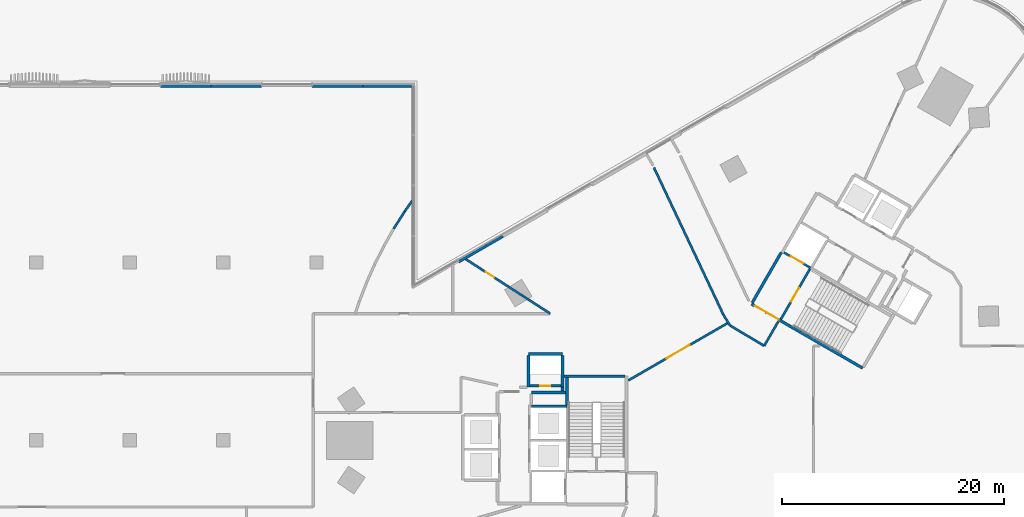
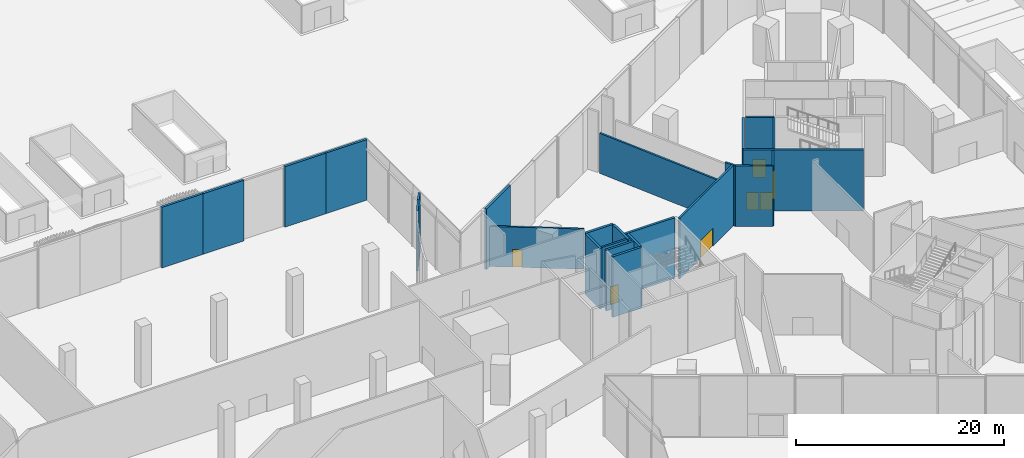
# One storey, part 19 of 41: 26 walls, 7 doors, 7 openings.
"""IFC4 building model written with IfcOpenShell, lengths in metres."""

from ifc_helpers import new_model, si_unit, direction, frame, frame_2d, origin, place, context, subcontext, project, spatial, rectangle, extrude, material, layer, layer_set, type_object, element, fill, save


model = new_model("IFC4")

# Units and contexts
model_context = context("Model", 3, precision=1e-05, world=origin(), true_north=direction((0.0, 1.0)))
body_context = subcontext(model_context, "Body", "Model", "MODEL_VIEW")
ifc_project = project(units=[si_unit("LENGTHUNIT", "METRE"), si_unit("AREAUNIT", "SQUARE_METRE"), si_unit("VOLUMEUNIT", "CUBIC_METRE"), si_unit("PLANEANGLEUNIT", "RADIAN"), si_unit("MASSUNIT", "GRAM", prefix="KILO")], contexts=[model_context])

# Site, building, storey
site_placement = place(None, origin())
site = spatial("IfcSite", under=ifc_project, at=site_placement, CompositionType="ELEMENT")
building_placement = place(site_placement, origin())
building = spatial("IfcBuilding", under=site, at=building_placement, Name="Tamra Quay Hotel Tower", CompositionType="ELEMENT")
storey_placement = place(building_placement, origin())
storey = spatial("IfcBuildingStorey", under=building, at=storey_placement, Name="L00", CompositionType="ELEMENT", Elevation=0.0)

# Wall, opening, door
ifc_material_1 = material(Name="Concrete M70", Category="concrete")
ifc_layer_1 = layer(ifc_material_1, 0.199951171875)
ifc_layer_set_1 = layer_set([ifc_layer_1], Name="Concrete M70 core wall 200")
wall_type_1 = type_object("IfcWallType", Name="Concrete M70 core wall 200", PredefinedType="SHEAR", material=ifc_layer_set_1)
wall_1_placement = place(storey_placement, frame((-19.51123046875, 4.91015625, 0.0), z_axis=(0.0, 0.0, 1.0), x_axis=(1.0, 0.0, 0.0)))
wall_1 = element("IfcWall", 1, at=wall_1_placement, inside=storey, type_object=wall_type_1, Name="CW2", PredefinedType="SHEAR", context=body_context, shape_type="SweptSolid", body=[
    extrude(rectangle(XDim=2.7978515625, YDim=0.199951171875, at=frame_2d((1.39892578125, 0.0))), origin(), (0.0, 0.0, 1.0), 7.10009765625),
])
opening_1_placement = place(wall_1_placement, frame((0.948974609375, 0.0, 0.0)))
opening_1 = element("IfcOpeningElement", 2, at=opening_1_placement, cuts=wall_1, Name="Opening D1", PredefinedType="OPENING", context=body_context, shape_type="SweptSolid", body=[
    extrude(rectangle(XDim=0.89990234375, YDim=2.10009765625, at=frame_2d((0.449951171875, 1.050048828125))), frame((0.0, 0.10986328125, 0.0), z_axis=(0.0, -1.0, 0.0), x_axis=(1.0, 0.0, 0.0)), (0.0, 0.0, 1.0), 0.219970703125),
])
ifc_material_2 = material(Name="Core door D1 900x2100 RH")
door_type_1 = type_object("IfcDoorType", Name="Core door D1 900x2100 RH", OperationType="NOTDEFINED", PredefinedType="DOOR", material=ifc_material_2)
door_1_placement = place(opening_1_placement, origin())
door_1 = element("IfcDoor", 3, at=door_1_placement, inside=storey, type_object=door_type_1, Name="D1", OperationType="SINGLE_SWING_RIGHT", OverallHeight=2.10009765625, OverallWidth=0.89990234375, PredefinedType="DOOR", context=body_context, shape_type="SweptSolid", body=[
    extrude(rectangle(XDim=0.89990234375, YDim=2.10009765625, at=frame_2d((0.449951171875, 1.050048828125))), frame((0.0, 0.02490234375, 0.0), z_axis=(0.0, -1.0, 0.0), x_axis=(1.0, 0.0, 0.0)), (0.0, 0.0, 1.0), 0.050048828125),
])
fill(opening_1, door_1)

wall_2_placement = place(storey_placement, frame((3.056640625, 10.89453125, 0.0), z_axis=(0.0, 0.0, 1.0), x_axis=(0.499989418164, 0.866031513124, 0.0)))
wall_2 = element("IfcWall", 4, at=wall_2_placement, inside=storey, type_object=wall_type_1, Name="CW2", PredefinedType="SHEAR", context=body_context, shape_type="SweptSolid", body=[
    extrude(rectangle(XDim=5.2509765625, YDim=0.199951171875, at=frame_2d((2.62548828125, 0.0))), origin(), (0.0, 0.0, 1.0), 7.10009765625),
])
opening_2_placement = place(wall_2_placement, frame((1.84912109375, 0.0, 0.0)))
opening_2 = element("IfcOpeningElement", 5, at=opening_2_placement, cuts=wall_2, Name="Opening FD2", PredefinedType="OPENING", context=body_context, shape_type="SweptSolid", body=[
    extrude(rectangle(XDim=1.39990234375, YDim=2.10009765625, at=frame_2d((0.699951171875, 1.050048828125))), frame((0.0, 0.10986328125, 0.0), z_axis=(0.0, -1.0, 0.0), x_axis=(1.0, 0.0, 0.0)), (0.0, 0.0, 1.0), 0.219970703125),
])
ifc_material_3 = material(Name="Core door FD2 1400x2100 LH")
door_type_2 = type_object("IfcDoorType", Name="Core door FD2 1400x2100 LH", OperationType="NOTDEFINED", PredefinedType="DOOR", material=ifc_material_3)
door_2_placement = place(opening_2_placement, origin())
door_2 = element("IfcDoor", 6, at=door_2_placement, inside=storey, type_object=door_type_2, Name="FD2", OperationType="SINGLE_SWING_LEFT", OverallHeight=2.10009765625, OverallWidth=1.39990234375, PredefinedType="DOOR", context=body_context, shape_type="SweptSolid", body=[
    extrude(rectangle(XDim=1.39990234375, YDim=2.10009765625, at=frame_2d((0.699951171875, 1.050048828125))), frame((0.0, 0.02490234375, 0.0), z_axis=(0.0, -1.0, 0.0), x_axis=(1.0, 0.0, 0.0)), (0.0, 0.0, 1.0), 0.050048828125),
])
fill(opening_2, door_2)

wall_3_placement = place(storey_placement, frame((5.72509765625, 15.530517578125, 0.0), z_axis=(0.0, 0.0, 1.0), x_axis=(-0.866037306777, 0.499979382845, 0.0)))
wall_3 = element("IfcWall", 7, at=wall_3_placement, inside=storey, type_object=wall_type_1, Name="CW2", PredefinedType="SHEAR", context=body_context, shape_type="SweptSolid", body=[
    extrude(rectangle(XDim=2.74169921875, YDim=0.199951171875, at=frame_2d((1.370849609375, 0.0))), origin(), (0.0, 0.0, 1.0), 7.10009765625),
])
opening_3_placement = place(wall_3_placement, frame((0.742919921875, 0.0, 0.0)))
opening_3 = element("IfcOpeningElement", 8, at=opening_3_placement, cuts=wall_3, Name="Opening LD", PredefinedType="OPENING", context=body_context, shape_type="SweptSolid", body=[
    extrude(rectangle(XDim=1.300048828125, YDim=2.10009765625, at=frame_2d((0.64990234375, 1.050048828125))), frame((0.0, 0.10986328125, 0.0), z_axis=(0.0, -1.0, 0.0), x_axis=(1.0, 0.0, 0.0)), (0.0, 0.0, 1.0), 0.219970703125),
])
ifc_material_4 = material(Name="Landing door LD 1300 sliding to left")
door_type_3 = type_object("IfcDoorType", Name="Landing door LD 1300 sliding to left", OperationType="NOTDEFINED", PredefinedType="DOOR", material=ifc_material_4)
door_3_placement = place(opening_3_placement, origin())
door_3 = element("IfcDoor", 9, at=door_3_placement, inside=storey, type_object=door_type_3, Name="LD", OperationType="SLIDING_TO_LEFT", OverallHeight=2.10009765625, OverallWidth=1.300048828125, PredefinedType="DOOR", context=body_context, shape_type="SweptSolid", body=[
    extrude(rectangle(XDim=1.300048828125, YDim=2.10009765625, at=frame_2d((0.64990234375, 1.050048828125))), frame((0.0, 0.02490234375, 0.0), z_axis=(0.0, -1.0, 0.0), x_axis=(1.0, 0.0, 0.0)), (0.0, 0.0, 1.0), 0.050048828125),
])
fill(opening_3, door_3)

# Walls
ifc_layer_2 = layer(ifc_material_1, 0.25)
ifc_layer_set_2 = layer_set([ifc_layer_2], Name="Concrete M70 core wall 250")
wall_type_2 = type_object("IfcWallType", Name="Concrete M70 core wall 250", PredefinedType="SHEAR", material=ifc_layer_set_2)
wall_4_placement = place(storey_placement, frame((-16.47216796875, 5.77490234375, 0.0), z_axis=(0.0, 0.0, 1.0), x_axis=(1.0, 0.0, 0.0)))
element("IfcWall", 10, at=wall_4_placement, inside=storey, type_object=wall_type_2, Name="CW1", PredefinedType="SHEAR", context=body_context, shape_type="SweptSolid", body=[
    extrude(rectangle(XDim=5.509521484375, YDim=0.25, at=frame_2d((2.7548828125, 0.0))), origin(), (0.0, 0.0, 1.0), 7.10009765625),
])
wall_5_placement = place(storey_placement, frame((-19.38720703125, 3.074951171875, 0.0), z_axis=(0.0, 0.0, 1.0), x_axis=(1.0, 0.0, 0.0)))
element("IfcWall", 11, at=wall_5_placement, inside=storey, type_object=wall_type_2, Name="CW1", PredefinedType="SHEAR", context=body_context, shape_type="SweptSolid", body=[
    extrude(rectangle(XDim=3.199951171875, YDim=0.25, at=frame_2d((1.60009765625, 0.0))), origin(), (0.0, 0.0, 1.0), 7.10009765625),
])
wall_6_placement = place(storey_placement, frame((-19.63720703125, 7.77490234375, 0.0), z_axis=(0.0, 0.0, 1.0), x_axis=(1.0, 0.0, 0.0)))
element("IfcWall", 12, at=wall_6_placement, inside=storey, type_object=wall_type_2, Name="CW1", PredefinedType="SHEAR", context=body_context, shape_type="SweptSolid", body=[
    extrude(rectangle(XDim=3.0498046875, YDim=0.25, at=frame_2d((1.52490234375, 0.0))), origin(), (0.0, 0.0, 1.0), 7.10009765625),
])
for number, where, z_axis, x_axis, name in (
    (13, (-16.58740234375, 7.649658203125, 0.0), (0.0, 0.0, 1.0), (0.0, -1.0, 0.0), "CW1"),
    (14, (-19.63720703125, 4.784912109375, 0.0), (0.0, 0.0, 1.0), (0.0, 1.0, 0.0), "CW1"),
):
    element("IfcWall", number, at=place(storey_placement, frame(where, z_axis=z_axis, x_axis=x_axis)), inside=storey, type_object=wall_type_2, Name=name, PredefinedType="SHEAR", context=body_context, shape_type="SweptSolid", body=[
        extrude(rectangle(XDim=2.86474609375, YDim=0.25, at=frame_2d((1.432373046875, 0.0))), origin(), (0.0, 0.0, 1.0), 7.10009765625),
    ])
wall_7_placement = place(storey_placement, frame((-16.30224609375, 4.31494140625, 0.0), z_axis=(0.0, 0.0, 1.0), x_axis=(-1.0, 0.0, 0.0)))
element("IfcWall", 15, at=wall_7_placement, inside=storey, type_object=wall_type_2, Name="CW1", PredefinedType="SHEAR", context=body_context, shape_type="SweptSolid", body=[
    extrude(rectangle(XDim=3.0849609375, YDim=0.25, at=frame_2d((1.54248046875, 0.0))), origin(), (0.0, 0.0, 1.0), 7.10009765625),
])
wall_8_placement = place(storey_placement, frame((-16.187255859375, 3.200439453125, 0.0), z_axis=(0.0, 0.0, 1.0), x_axis=(0.0, 1.0, 0.0)))
element("IfcWall", 16, at=wall_8_placement, inside=storey, type_object=wall_type_2, Name="CW1", PredefinedType="SHEAR", context=body_context, shape_type="SweptSolid", body=[
    extrude(rectangle(XDim=2.44921875, YDim=0.25, at=frame_2d((1.224609375, 0.0))), origin(), (0.0, 0.0, 1.0), 7.10009765625),
])
wall_9_placement = place(storey_placement, frame((-16.577392578125, 4.784912109375, 0.0), z_axis=(0.0, 0.0, 1.0), x_axis=(0.0, -1.0, 0.0)))
element("IfcWall", 17, at=wall_9_placement, inside=storey, type_object=wall_type_2, Name="CW1", PredefinedType="SHEAR", context=body_context, shape_type="SweptSolid", body=[
    extrude(rectangle(XDim=0.344482421875, YDim=0.25, at=frame_2d((0.17236328125, 0.0))), origin(), (0.0, 0.0, 1.0), 7.10009765625),
])

# Wall, openings, doors
wall_10_placement = place(storey_placement, frame((10.419921875, 6.497802734375, 0.0), z_axis=(0.0, 0.0, 1.0), x_axis=(-0.866021906294, 0.500006057782, 0.0)))
wall_10 = element("IfcWall", 18, at=wall_10_placement, inside=storey, type_object=wall_type_2, Name="CW1", PredefinedType="SHEAR", context=body_context, shape_type="SweptSolid", body=[
    extrude(rectangle(XDim=11.550048828125, YDim=0.25, at=frame_2d((5.77490234375, 0.0))), origin(), (0.0, 0.0, 1.0), 7.10009765625),
])
opening_4_placement = place(wall_10_placement, frame((10.02490234375, 0.0, 0.0)))
opening_4 = element("IfcOpeningElement", 19, at=opening_4_placement, cuts=wall_10, Name="Opening FD1", PredefinedType="OPENING", context=body_context, shape_type="SweptSolid", body=[
    extrude(rectangle(XDim=1.199951171875, YDim=2.10009765625, at=frame_2d((0.60009765625, 1.050048828125))), frame((0.0, 0.135009765625, 0.0), z_axis=(0.0, -1.0, 0.0), x_axis=(1.0, 0.0, 0.0)), (0.0, 0.0, 1.0), 0.27001953125),
])
opening_5_placement = place(wall_10_placement, frame((8.724853515625, 0.0, 0.0)))
opening_5 = element("IfcOpeningElement", 20, at=opening_5_placement, cuts=wall_10, Name="Opening FD1", PredefinedType="OPENING", context=body_context, shape_type="SweptSolid", body=[
    extrude(rectangle(XDim=1.199951171875, YDim=2.10009765625, at=frame_2d((0.60009765625, 1.050048828125))), frame((0.0, 0.135009765625, 0.0), z_axis=(0.0, -1.0, 0.0), x_axis=(1.0, 0.0, 0.0)), (0.0, 0.0, 1.0), 0.27001953125),
])
ifc_material_5 = material(Name="Core door FD1 1200x2100 LH")
door_type_4 = type_object("IfcDoorType", Name="Core door FD1 1200x2100 LH", OperationType="NOTDEFINED", PredefinedType="DOOR", material=ifc_material_5)
door_4_placement = place(opening_4_placement, origin())
door_4 = element("IfcDoor", 21, at=door_4_placement, inside=storey, type_object=door_type_4, Name="FD1", OperationType="SINGLE_SWING_LEFT", OverallHeight=2.10009765625, OverallWidth=1.199951171875, PredefinedType="DOOR", context=body_context, shape_type="SweptSolid", body=[
    extrude(rectangle(XDim=1.199951171875, YDim=2.10009765625, at=frame_2d((0.60009765625, 1.050048828125))), frame((0.0, 0.02490234375, 0.0), z_axis=(0.0, -1.0, 0.0), x_axis=(1.0, 0.0, 0.0)), (0.0, 0.0, 1.0), 0.050048828125),
])
fill(opening_4, door_4)
ifc_material_6 = material(Name="Core door FD1 1200x2100 RH")
door_type_5 = type_object("IfcDoorType", Name="Core door FD1 1200x2100 RH", OperationType="NOTDEFINED", PredefinedType="DOOR", material=ifc_material_6)
door_5_placement = place(opening_5_placement, origin())
door_5 = element("IfcDoor", 22, at=door_5_placement, inside=storey, type_object=door_type_5, Name="FD1", OperationType="SINGLE_SWING_RIGHT", OverallHeight=2.10009765625, OverallWidth=1.199951171875, PredefinedType="DOOR", context=body_context, shape_type="SweptSolid", body=[
    extrude(rectangle(XDim=1.199951171875, YDim=2.10009765625, at=frame_2d((0.60009765625, 1.050048828125))), frame((0.0, 0.02490234375, 0.0), z_axis=(0.0, -1.0, 0.0), x_axis=(1.0, 0.0, 0.0)), (0.0, 0.0, 1.0), 0.050048828125),
])
fill(opening_5, door_5)

# Walls
wall_11_placement = place(storey_placement, frame((0.47998046875, 12.38134765625, 0.0), z_axis=(0.0, 0.0, 1.0), x_axis=(0.49999885962, 0.866026062182, 0.0)))
element("IfcWall", 23, at=wall_11_placement, inside=storey, type_object=wall_type_2, Name="CW1", PredefinedType="SHEAR", context=body_context, shape_type="SweptSolid", body=[
    extrude(rectangle(XDim=5.224609375, YDim=0.25, at=frame_2d((2.6123046875, 0.0))), origin(), (0.0, 0.0, 1.0), 7.10009765625),
])
ifc_material_7 = material(Name="Blockwork masonry plastered", Category="masonry")
ifc_layer_3 = layer(ifc_material_7, 0.25)
ifc_layer_set_3 = layer_set([ifc_layer_3], Name="EXTERNAL WALL 250")
wall_type_3 = type_object("IfcWallType", Name="EXTERNAL WALL 250", PredefinedType="SOLIDWALL", material=ifc_layer_set_3)
wall_12_placement = place(storey_placement, frame((-25.935791015625, 16.056640625, 0.0), z_axis=(0.0, 0.0, 1.0), x_axis=(0.866216377649, 0.499669077583, 0.0)))
element("IfcWall", 24, at=wall_12_placement, inside=storey, type_object=wall_type_3, Name="EW1", PredefinedType="SOLIDWALL", context=body_context, shape_type="SweptSolid", body=[
    extrude(rectangle(XDim=4.619873046875, YDim=0.25, at=frame_2d((2.31005859375, 0.0))), origin(), (0.0, 0.0, 1.0), 7.10009765625),
])
for number, where, z_axis, x_axis, name in (
    (25, (-34.546142578125, 31.875, 0.0), (0.0, 0.0, 1.0), (1.0, 0.0, 0.0), "EW1"),
    (26, (-39.09228515625, 31.875, 0.0), (0.0, 0.0, 1.0), (1.0, 0.0, 0.0), "EW1"),
    (27, (-48.1845703125, 31.875, 0.0), (0.0, 0.0, 1.0), (1.0, 0.0, 0.0), "EW1"),
    (28, (-52.730712890625, 31.875, 0.0), (0.0, 0.0, 1.0), (1.0, 0.0, 0.0), "EW1"),
):
    element("IfcWall", number, at=place(storey_placement, frame(where, z_axis=z_axis, x_axis=x_axis)), inside=storey, type_object=wall_type_3, Name=name, PredefinedType="SOLIDWALL", context=body_context, shape_type="SweptSolid", body=[
        extrude(rectangle(XDim=4.546142578125, YDim=0.25, at=frame_2d((2.27294921875, 0.0))), origin(), (0.0, 0.0, 1.0), 7.10009765625),
    ])
ifc_material_8 = material(Name="Partition atrium enclosure wall")
ifc_layer_4 = layer(ifc_material_8, 0.199951171875)
ifc_layer_set_4 = layer_set([ifc_layer_4], Name="Partition atrium enclosure wall")
wall_type_4 = type_object("IfcWallType", Name="Partition atrium enclosure wall", PredefinedType="PARTITIONING", material=ifc_layer_set_4)
wall_13_placement = place(storey_placement, frame((-8.35888671875, 24.5400390625, 0.0), z_axis=(0.0, 0.0, 1.0), x_axis=(0.426724650049, -0.904381597027, 0.0)))
element("IfcWall", 29, at=wall_13_placement, inside=storey, type_object=wall_type_4, Name="W-A", PredefinedType="PARTITIONING", context=body_context, shape_type="SweptSolid", body=[
    extrude(rectangle(XDim=14.648681640625, YDim=0.199951171875, at=frame_2d((7.32421875, 0.0))), origin(), (0.0, 0.0, 1.0), 4.699951171875),
])
wall_14_placement = place(storey_placement, frame((-2.10791015625, 11.2919921875, 0.0), z_axis=(0.0, 0.0, 1.0), x_axis=(0.523562666548, -0.85198716786, 0.0)))
element("IfcWall", 30, at=wall_14_placement, inside=storey, type_object=wall_type_4, Name="W-A", PredefinedType="PARTITIONING", context=body_context, shape_type="SweptSolid", body=[
    extrude(rectangle(XDim=1.12109375, YDim=0.199951171875, at=frame_2d((0.560546875, 0.0))), origin(), (0.0, 0.0, 1.0), 7.10009765625),
])
wall_15_placement = place(storey_placement, frame((-1.52099609375, 10.3369140625, 0.0), z_axis=(0.0, 0.0, 1.0), x_axis=(0.859480916886, -0.511167833015, 0.0)))
element("IfcWall", 31, at=wall_15_placement, inside=storey, type_object=wall_type_4, Name="W-A", PredefinedType="PARTITIONING", context=body_context, shape_type="SweptSolid", body=[
    extrude(rectangle(XDim=3.5859375, YDim=0.199951171875, at=frame_2d((1.79296875, 0.0))), origin(), (0.0, 0.0, 1.0), 7.10009765625),
])
wall_16_placement = place(storey_placement, frame((1.56103515625, 8.50390625, 0.0), z_axis=(0.0, 0.0, 1.0), x_axis=(0.5001186023, 0.865956917885, 0.0)))
element("IfcWall", 32, at=wall_16_placement, inside=storey, type_object=wall_type_4, Name="W-A", PredefinedType="PARTITIONING", context=body_context, shape_type="SweptSolid", body=[
    extrude(rectangle(XDim=2.50732421875, YDim=0.199951171875, at=frame_2d((1.253662109375, 0.0))), origin(), (0.0, 0.0, 1.0), 7.10009765625),
])
ifc_material_9 = material(Name="Partition party wall")
ifc_layer_5 = layer(ifc_material_9, 0.199951171875)
ifc_layer_set_5 = layer_set([ifc_layer_5], Name="Partition party wall")
wall_type_5 = type_object("IfcWallType", Name="Partition party wall", PredefinedType="PARTITIONING", material=ifc_layer_set_5)
wall_17_placement = place(storey_placement, frame((-31.761962890625, 19.037109375, 0.0), z_axis=(0.0, 0.0, 1.0), x_axis=(0.535362070485, 0.844622669294, 0.0)))
element("IfcWall", 33, at=wall_17_placement, inside=storey, type_object=wall_type_5, Name="W-P", PredefinedType="PARTITIONING", context=body_context, shape_type="SweptSolid", body=[
    extrude(rectangle(XDim=1.8173828125, YDim=0.199951171875, at=frame_2d((0.90869140625, 0.0))), origin(), (0.0, 0.0, 1.0), 7.10009765625),
])
wall_18_placement = place(storey_placement, frame((-30.7890625, 20.572021484375, 0.0), z_axis=(0.0, 0.0, 1.0), x_axis=(0.5751895751, 0.818020141987, 0.0)))
element("IfcWall", 34, at=wall_18_placement, inside=storey, type_object=wall_type_5, Name="W-P", PredefinedType="PARTITIONING", context=body_context, shape_type="SweptSolid", body=[
    extrude(rectangle(XDim=1.1943359375, YDim=0.199951171875, at=frame_2d((0.59716796875, 0.0))), origin(), (0.0, 0.0, 1.0), 7.10009765625),
])

# Wall, opening, door
wall_19_placement = place(storey_placement, frame((-25.507568359375, 16.445068359375, 0.0), z_axis=(0.0, 0.0, 1.0), x_axis=(0.84055111596, -0.54173224148, 0.0)))
wall_19 = element("IfcWall", 35, at=wall_19_placement, inside=storey, type_object=wall_type_5, Name="W-P", PredefinedType="PARTITIONING", context=body_context, shape_type="SweptSolid", body=[
    extrude(rectangle(XDim=9.3017578125, YDim=0.199951171875, at=frame_2d((4.65087890625, 0.0))), origin(), (0.0, 0.0, 1.0), 4.699951171875),
])
opening_6_placement = place(wall_19_placement, frame((2.416748046875, 0.0, 0.0)))
opening_6 = element("IfcOpeningElement", 36, at=opening_6_placement, cuts=wall_19, Name="Opening L00-D022", PredefinedType="OPENING", context=body_context, shape_type="SweptSolid", body=[
    extrude(rectangle(XDim=0.89990234375, YDim=2.10009765625, at=frame_2d((0.449951171875, 1.050048828125))), frame((0.0, 0.10986328125, 0.0), z_axis=(0.0, -1.0, 0.0), x_axis=(1.0, 0.0, 0.0)), (0.0, 0.0, 1.0), 0.219970703125),
])
ifc_material_10 = material(Name="Door service room 900x2100")
door_type_6 = type_object("IfcDoorType", Name="Door service room 900x2100", OperationType="NOTDEFINED", PredefinedType="DOOR", material=ifc_material_10)
door_6_placement = place(opening_6_placement, frame((0.89990234375, 0.0, 0.0), z_axis=(0.0, 0.0, 1.0), x_axis=(-1.0, 0.0, 0.0)))
door_6 = element("IfcDoor", 37, at=door_6_placement, inside=storey, type_object=door_type_6, Name="L00-D022", OperationType="SINGLE_SWING_LEFT", OverallHeight=2.10009765625, OverallWidth=0.89990234375, PredefinedType="DOOR", context=body_context, shape_type="SweptSolid", body=[
    extrude(rectangle(XDim=0.89990234375, YDim=2.10009765625, at=frame_2d((0.449951171875, 1.050048828125))), frame((0.0, 0.02490234375, 0.0), z_axis=(0.0, -1.0, 0.0), x_axis=(1.0, 0.0, 0.0)), (0.0, 0.0, 1.0), 0.050048828125),
])
fill(opening_6, door_6)

wall_20_placement = place(storey_placement, frame((-10.65234375, 5.3994140625, 0.0), z_axis=(0.0, 0.0, 1.0), x_axis=(0.866043217385, 0.49996914467, 0.0)))
wall_20 = element("IfcWall", 38, at=wall_20_placement, inside=storey, type_object=wall_type_5, Name="W-P", PredefinedType="PARTITIONING", context=body_context, shape_type="SweptSolid", body=[
    extrude(rectangle(XDim=10.365966796875, YDim=0.199951171875, at=frame_2d((5.18310546875, 0.0))), origin(), (0.0, 0.0, 1.0), 7.10009765625),
])
opening_7_placement = place(wall_20_placement, frame((3.948486328125, 0.0, 0.0)))
opening_7 = element("IfcOpeningElement", 39, at=opening_7_placement, cuts=wall_20, Name="Opening L00-D003", PredefinedType="OPENING", context=body_context, shape_type="SweptSolid", body=[
    extrude(rectangle(XDim=2.39990234375, YDim=2.10009765625, at=frame_2d((1.199951171875, 1.050048828125))), frame((0.0, 0.10986328125, 0.0), z_axis=(0.0, -1.0, 0.0), x_axis=(1.0, 0.0, 0.0)), (0.0, 0.0, 1.0), 0.219970703125),
])
ifc_material_11 = material(Name="Door double leaf 2400x2100")
door_type_7 = type_object("IfcDoorType", Name="Door double leaf 2400x2100", OperationType="DOUBLE_DOOR_SINGLE_SWING", PredefinedType="DOOR", material=ifc_material_11)
door_7_placement = place(opening_7_placement, origin())
door_7 = element("IfcDoor", 40, at=door_7_placement, inside=storey, type_object=door_type_7, Name="L00-D003", OperationType="DOUBLE_DOOR_SINGLE_SWING", OverallHeight=2.10009765625, OverallWidth=2.39990234375, PredefinedType="DOOR", context=body_context, shape_type="SweptSolid", body=[
    extrude(rectangle(XDim=2.39990234375, YDim=2.10009765625, at=frame_2d((1.199951171875, 1.050048828125))), frame((0.0, 0.02490234375, 0.0), z_axis=(0.0, -1.0, 0.0), x_axis=(1.0, 0.0, 0.0)), (0.0, 0.0, 1.0), 0.050048828125),
])
fill(opening_7, door_7)

save(model, "model.ifc")
